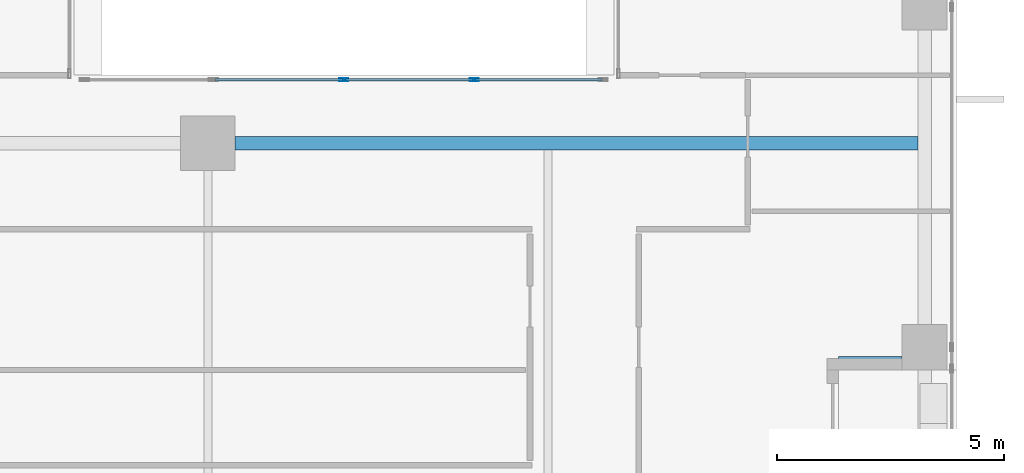
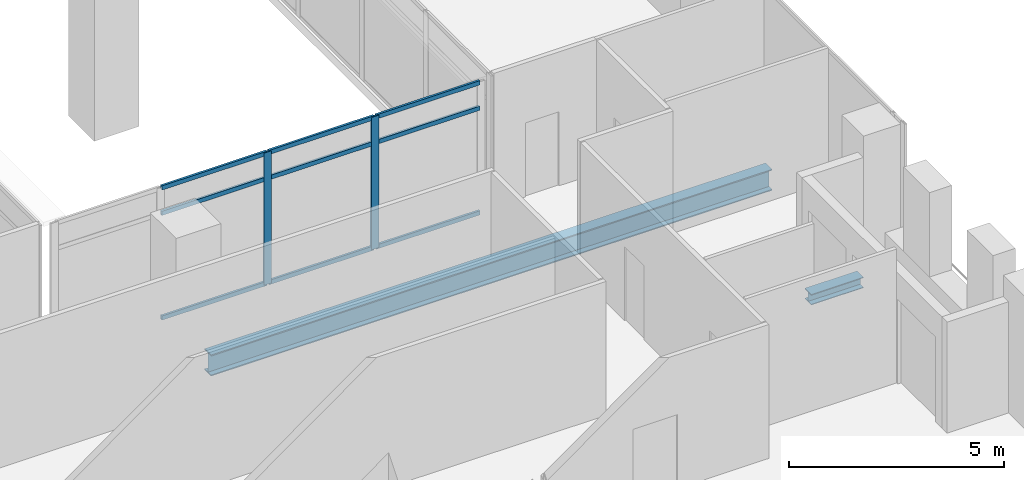
# One storey, part 16 of 37: 11 members, 2 beams, 1 element without a shape of its own.
"""IFC4 building model written with IfcOpenShell, lengths in metres."""

from ifc_helpers import new_model, si_unit, direction, frame, origin, origin_2d, place, context, subcontext, project, spatial, hollow_rectangle, i_section, extrude, source, transform, mapped, material, material_profile, profile_set, type_object, element, aggregate, save


model = new_model("IFC4")

# Units and contexts
model_context = context("Model", 3, precision=1e-05, world=origin(), true_north=direction((0.0, 1.0)))
body_context = subcontext(model_context, "Body", "Model", "MODEL_VIEW")
ifc_project = project(units=[si_unit("LENGTHUNIT", "METRE"), si_unit("AREAUNIT", "SQUARE_METRE"), si_unit("VOLUMEUNIT", "CUBIC_METRE"), si_unit("PLANEANGLEUNIT", "RADIAN"), si_unit("MASSUNIT", "GRAM", prefix="KILO")], contexts=[model_context])

# Site, building, storey
site_placement = place(None, origin())
site = spatial("IfcSite", under=ifc_project, at=site_placement, CompositionType="ELEMENT")
building_placement = place(site_placement, origin())
building = spatial("IfcBuilding", under=site, at=building_placement, Name="Khomas Fold Tower", CompositionType="ELEMENT")
storey_placement = place(building_placement, frame((0.0, 0.0, 168.699951171875)))
storey = spatial("IfcBuildingStorey", under=building, at=storey_placement, Name="L36", CompositionType="ELEMENT", Elevation=168.699951171875)

# Beams
ifc_material_1 = material(Name="Steel S355", Category="steel")
ifc_material_profile_1 = material_profile(ifc_material_1, i_section(OverallWidth=0.300048828125, OverallDepth=0.60009765625, WebThickness=0.015380859375, FlangeThickness=0.030029296875, at=origin_2d()), Name="HE 600 B")
ifc_profile_set_1 = profile_set([ifc_material_profile_1], Name="Steel S355")
beam_type_1 = type_object("IfcBeamType", Name="HE 600 B beam GB5", PredefinedType="BEAM", material=ifc_profile_set_1)
shared_shape_1 = source(origin(), body_context, "Body", "SweptSolid", [
    extrude(i_section(OverallWidth=0.300048828125, OverallDepth=0.60009765625, WebThickness=0.015380859375, FlangeThickness=0.030029296875, at=origin_2d()), origin(), (0.0, 0.0, 1.0), 15.0498046875),
])
beam_1_placement = place(storey_placement, frame((35.10009765625, 31.5, -0.550048828125), z_axis=(1.0, 0.0, 0.0), x_axis=(0.0, 1.0, 0.0)))
element("IfcBeam", 1, at=beam_1_placement, inside=storey, type_object=beam_type_1, Name="GB5", PredefinedType="BEAM", context=body_context, shape_type="MappedRepresentation", body=[
    mapped(shared_shape_1, transform((0.0, 0.0, 0.0))),
])
ifc_material_2 = material(Name="Steel S355", Category="steel")
ifc_material_profile_2 = material_profile(ifc_material_2, i_section(OverallWidth=0.300048828125, OverallDepth=0.300048828125, WebThickness=0.010986328125, FlangeThickness=0.01904296875, at=origin_2d()), Name="HE 300 B")
ifc_profile_set_2 = profile_set([ifc_material_profile_2], Name="Steel S355")
beam_type_2 = type_object("IfcBeamType", Name="HE 300 B beam BB1", PredefinedType="BEAM", material=ifc_profile_set_2)
shared_shape_2 = source(origin(), body_context, "Body", "SweptSolid", [
    extrude(i_section(OverallWidth=0.300048828125, OverallDepth=0.300048828125, WebThickness=0.010986328125, FlangeThickness=0.01904296875, at=origin_2d()), origin(), (0.0, 0.0, 1.0), 1.400146484375),
])
beam_2_placement = place(storey_placement, frame((48.39990234375, 26.64990234375, -0.39990234375), z_axis=(1.0, 0.0, 0.0), x_axis=(0.0, 1.0, 0.0)))
element("IfcBeam", 2, at=beam_2_placement, inside=storey, type_object=beam_type_2, Name="BB1", PredefinedType="BEAM", context=body_context, shape_type="MappedRepresentation", body=[
    mapped(shared_shape_2, transform((0.0, 0.0, 0.0))),
])

# Curtain wall, members
ifc_material_3 = material(Name="Aluminium framed double glazing", Category="aluminium")
curtain_wall_type = type_object("IfcCurtainWallType", Name="Notch glazing GN-CW", PredefinedType="NOTDEFINED", material=ifc_material_3)
curtain_wall_placement = place(storey_placement, origin())
curtain_wall = element("IfcCurtainWall", 3, at=curtain_wall_placement, inside=storey, type_object=curtain_wall_type, Name="Notch glazing run", PredefinedType="NOTDEFINED")
ifc_material_4 = material(Name="Aluminium", Category="aluminium")
ifc_material_profile_3 = material_profile(ifc_material_4, hollow_rectangle(XDim=0.06005859375, YDim=0.199951171875, WallThickness=0.00390625, at=origin_2d()), Name="Notch glazing mullion GN-CW-M")
ifc_profile_set_3 = profile_set([ifc_material_profile_3], Name="Aluminium")
member_type_1 = type_object("IfcMemberType", Name="Notch glazing mullion GN-CW-M", PredefinedType="MULLION", material=ifc_profile_set_3)
shared_shape_3 = source(origin(), body_context, "Body", "SweptSolid", [
    extrude(hollow_rectangle(XDim=0.06005859375, YDim=0.199951171875, WallThickness=0.00390625, at=origin_2d()), origin(), (0.0, 0.0, 1.0), 3.75),
])
member_1_placement = place(storey_placement, frame((40.375, 32.89990234375, 0.0), z_axis=(0.0, 0.0, 1.0), x_axis=(0.0, -1.0, 0.0)))
member_1 = element("IfcMember", 4, at=member_1_placement, type_object=member_type_1, Name="GN-CW mullion 2", PredefinedType="MULLION", context=body_context, shape_type="MappedRepresentation", body=[
    mapped(shared_shape_3, transform((0.0, 0.0, 0.0))),
])
member_2_placement = place(storey_placement, frame((37.5, 32.89990234375, 0.0), z_axis=(0.0, 0.0, 1.0), x_axis=(0.0, -1.0, 0.0)))
member_2 = element("IfcMember", 5, at=member_2_placement, type_object=member_type_1, Name="GN-CW mullion 3", PredefinedType="MULLION", context=body_context, shape_type="MappedRepresentation", body=[
    mapped(shared_shape_3, transform((0.0, 0.0, 0.0))),
])
ifc_material_5 = material(Name="Aluminium", Category="aluminium")
ifc_material_profile_4 = material_profile(ifc_material_5, hollow_rectangle(XDim=0.06005859375, YDim=0.1201171875, WallThickness=0.00390625, at=origin_2d()), Name="Notch glazing transom GN-CW-T")
ifc_profile_set_4 = profile_set([ifc_material_profile_4], Name="Aluminium")
member_type_2 = type_object("IfcMemberType", Name="Notch glazing transom GN-CW-T", PredefinedType="USERDEFINED", material=ifc_profile_set_4)
shared_shape_4 = source(origin(), body_context, "Body", "SweptSolid", [
    extrude(hollow_rectangle(XDim=0.06005859375, YDim=0.1201171875, WallThickness=0.00390625, at=origin_2d()), origin(), (0.0, 0.0, 1.0), 2.784912109375),
])
member_3_placement = place(storey_placement, frame((43.18994140625, 32.89990234375, 0.030029296875), z_axis=(-1.0, 0.0, 0.0), x_axis=(0.0, -1.0, 0.0)))
member_3 = element("IfcMember", 6, at=member_3_placement, type_object=member_type_2, Name="GN-CW transom 1.1", ObjectType="TRANSOM", PredefinedType="USERDEFINED", context=body_context, shape_type="MappedRepresentation", body=[
    mapped(shared_shape_4, transform((0.0, 0.0, 0.0))),
])
member_4_placement = place(storey_placement, frame((43.18994140625, 32.89990234375, 3.0), z_axis=(-1.0, 0.0, 0.0), x_axis=(0.0, -1.0, 0.0)))
member_4 = element("IfcMember", 7, at=member_4_placement, type_object=member_type_2, Name="GN-CW transom 1.2", ObjectType="TRANSOM", PredefinedType="USERDEFINED", context=body_context, shape_type="MappedRepresentation", body=[
    mapped(shared_shape_4, transform((0.0, 0.0, 0.0))),
])
member_5_placement = place(storey_placement, frame((43.18994140625, 32.89990234375, 3.719970703125), z_axis=(-1.0, 0.0, 0.0), x_axis=(0.0, -1.0, 0.0)))
member_5 = element("IfcMember", 8, at=member_5_placement, type_object=member_type_2, Name="GN-CW transom 1.3", ObjectType="TRANSOM", PredefinedType="USERDEFINED", context=body_context, shape_type="MappedRepresentation", body=[
    mapped(shared_shape_4, transform((0.0, 0.0, 0.0))),
])
shared_shape_5 = source(origin(), body_context, "Body", "SweptSolid", [
    extrude(hollow_rectangle(XDim=0.06005859375, YDim=0.1201171875, WallThickness=0.00390625, at=origin_2d()), origin(), (0.0, 0.0, 1.0), 2.81494140625),
])
member_6_placement = place(storey_placement, frame((40.344970703125, 32.89990234375, 0.030029296875), z_axis=(-1.0, 0.0, 0.0), x_axis=(0.0, -1.0, 0.0)))
member_6 = element("IfcMember", 9, at=member_6_placement, type_object=member_type_2, Name="GN-CW transom 2.1", ObjectType="TRANSOM", PredefinedType="USERDEFINED", context=body_context, shape_type="MappedRepresentation", body=[
    mapped(shared_shape_5, transform((0.0, 0.0, 0.0))),
])
member_7_placement = place(storey_placement, frame((40.344970703125, 32.89990234375, 3.0), z_axis=(-1.0, 0.0, 0.0), x_axis=(0.0, -1.0, 0.0)))
member_7 = element("IfcMember", 10, at=member_7_placement, type_object=member_type_2, Name="GN-CW transom 2.2", ObjectType="TRANSOM", PredefinedType="USERDEFINED", context=body_context, shape_type="MappedRepresentation", body=[
    mapped(shared_shape_5, transform((0.0, 0.0, 0.0))),
])
member_8_placement = place(storey_placement, frame((40.344970703125, 32.89990234375, 3.719970703125), z_axis=(-1.0, 0.0, 0.0), x_axis=(0.0, -1.0, 0.0)))
member_8 = element("IfcMember", 11, at=member_8_placement, type_object=member_type_2, Name="GN-CW transom 2.3", ObjectType="TRANSOM", PredefinedType="USERDEFINED", context=body_context, shape_type="MappedRepresentation", body=[
    mapped(shared_shape_5, transform((0.0, 0.0, 0.0))),
])
member_9_placement = place(storey_placement, frame((37.469970703125, 32.89990234375, 0.030029296875), z_axis=(-1.0, 0.0, 0.0), x_axis=(0.0, -1.0, 0.0)))
member_9 = element("IfcMember", 12, at=member_9_placement, type_object=member_type_2, Name="GN-CW transom 3.1", ObjectType="TRANSOM", PredefinedType="USERDEFINED", context=body_context, shape_type="MappedRepresentation", body=[
    mapped(shared_shape_5, transform((0.0, 0.0, 0.0))),
])
member_10_placement = place(storey_placement, frame((37.469970703125, 32.89990234375, 3.0), z_axis=(-1.0, 0.0, 0.0), x_axis=(0.0, -1.0, 0.0)))
member_10 = element("IfcMember", 13, at=member_10_placement, type_object=member_type_2, Name="GN-CW transom 3.2", ObjectType="TRANSOM", PredefinedType="USERDEFINED", context=body_context, shape_type="MappedRepresentation", body=[
    mapped(shared_shape_5, transform((0.0, 0.0, 0.0))),
])
member_11_placement = place(storey_placement, frame((37.469970703125, 32.89990234375, 3.719970703125), z_axis=(-1.0, 0.0, 0.0), x_axis=(0.0, -1.0, 0.0)))
member_11 = element("IfcMember", 14, at=member_11_placement, type_object=member_type_2, Name="GN-CW transom 3.3", ObjectType="TRANSOM", PredefinedType="USERDEFINED", context=body_context, shape_type="MappedRepresentation", body=[
    mapped(shared_shape_5, transform((0.0, 0.0, 0.0))),
])
aggregate(curtain_wall, [member_1, member_2, member_3, member_4, member_5, member_6, member_7, member_8, member_9, member_10, member_11])

save(model, "model.ifc")
